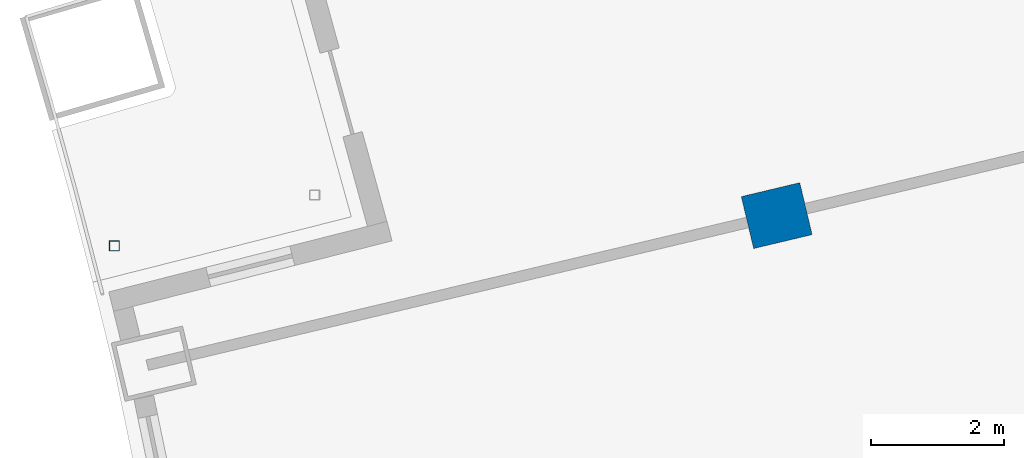
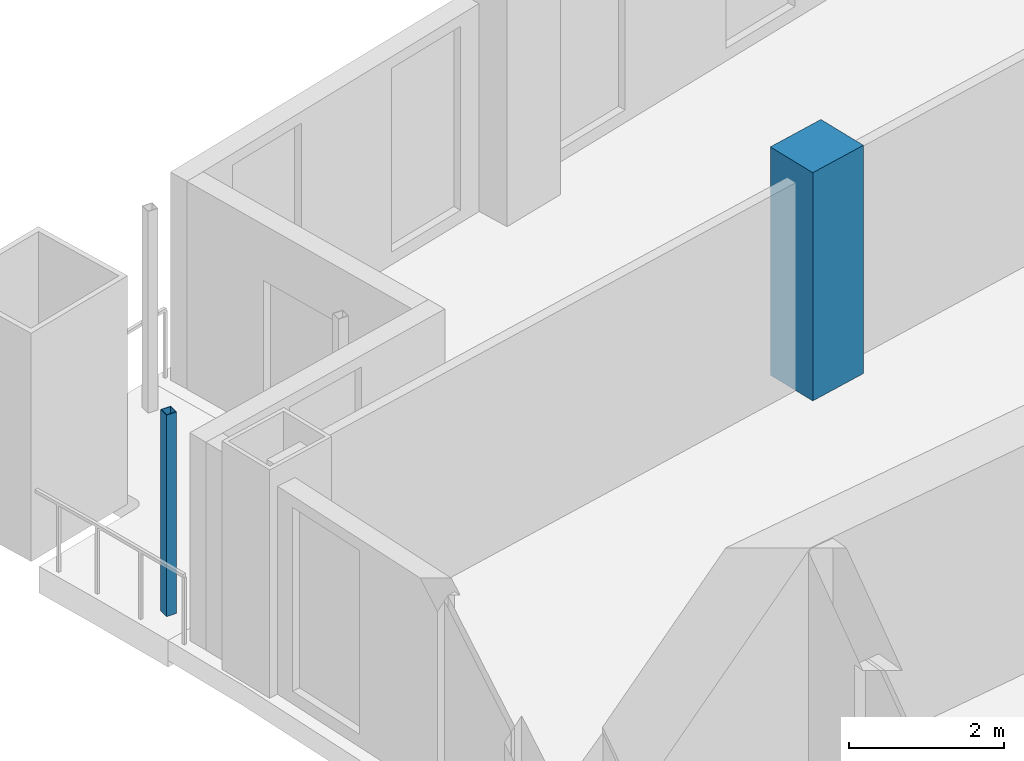
# One storey, part 5 of 20: 2 columns.
"""IFC4 building model written with IfcOpenShell, lengths in metres."""

from ifc_helpers import new_model, si_unit, direction, frame, origin, origin_2d, place, context, subcontext, project, spatial, rectangle, hollow_rectangle, extrude, material, material_profile, profile_set, type_object, element, save


model = new_model("IFC4")

# Units and contexts
model_context = context("Model", 3, precision=1e-05, world=origin(), true_north=direction((0.0, 1.0)))
body_context = subcontext(model_context, "Body", "Model", "MODEL_VIEW")
ifc_project = project(units=[si_unit("LENGTHUNIT", "METRE"), si_unit("AREAUNIT", "SQUARE_METRE"), si_unit("VOLUMEUNIT", "CUBIC_METRE"), si_unit("PLANEANGLEUNIT", "RADIAN"), si_unit("MASSUNIT", "GRAM", prefix="KILO")], contexts=[model_context])

# Site, building, storey
site_placement = place(None, origin())
site = spatial("IfcSite", under=ifc_project, at=site_placement, CompositionType="ELEMENT")
building_placement = place(site_placement, origin())
building = spatial("IfcBuilding", under=site, at=building_placement, Name="Alderwake Tower", CompositionType="ELEMENT")
storey_placement = place(building_placement, frame((0.0, 0.0, 164.0)))
storey = spatial("IfcBuildingStorey", under=building, at=storey_placement, Name="L40", CompositionType="ELEMENT", Elevation=164.0)

# Columns
ifc_material_1 = material(Name="Concrete C70/85", Category="concrete")
ifc_material_profile_1 = material_profile(ifc_material_1, rectangle(XDim=0.800048828125, YDim=0.89990234375, at=origin_2d()), Name="RC 900X800")
ifc_profile_set_1 = profile_set([ifc_material_profile_1], Name="Concrete C70/85")
column_type_1 = type_object("IfcColumnType", Name="Interior column Z3", PredefinedType="COLUMN", material=ifc_profile_set_1)
column_1_placement = place(storey_placement, frame((23.322021484375, 85.555908203125, 0.0), z_axis=(0.0, 0.0, 1.0), x_axis=(-0.231221547198, 0.972901123502, 0.0)))
element("IfcColumn", 1, at=column_1_placement, inside=storey, type_object=column_type_1, Name="Column R11-C1", PredefinedType="COLUMN", context=body_context, shape_type="SweptSolid", body=[
    extrude(rectangle(XDim=0.800048828125, YDim=0.89990234375, at=origin_2d()), origin(), (0.0, 0.0, 1.0), 3.60009765625),
])
ifc_material_2 = material(Name="Steel ASTM A500 Grade C", Category="steel")
ifc_material_profile_2 = material_profile(ifc_material_2, hollow_rectangle(XDim=0.15234375, YDim=0.15234375, WallThickness=0.0087890625, at=origin_2d()), Name="HSS6X6X3/8")
ifc_profile_set_2 = profile_set([ifc_material_profile_2], Name="Steel ASTM A500 Grade C")
column_type_2 = type_object("IfcColumnType", Name="Light post HSS6X6X3/8", PredefinedType="COLUMN", material=ifc_profile_set_2)
column_2_placement = place(storey_placement, frame((13.3896484375, 85.103515625, 0.0), z_axis=(0.0, 0.0, 1.0), x_axis=(1.0, 0.0, 0.0)))
element("IfcColumn", 2, at=column_2_placement, inside=storey, type_object=column_type_2, Name="Terrace post RN1", PredefinedType="COLUMN", context=body_context, shape_type="SweptSolid", body=[
    extrude(hollow_rectangle(XDim=0.15234375, YDim=0.15234375, WallThickness=0.0087890625, at=origin_2d()), origin(), (0.0, 0.0, 1.0), 3.179931640625),
])

save(model, "model.ifc")
